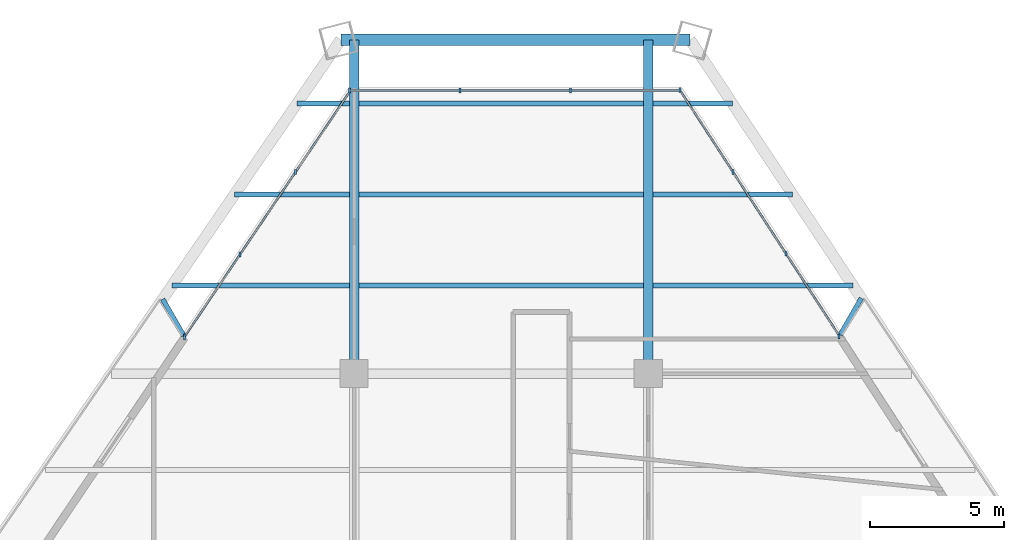
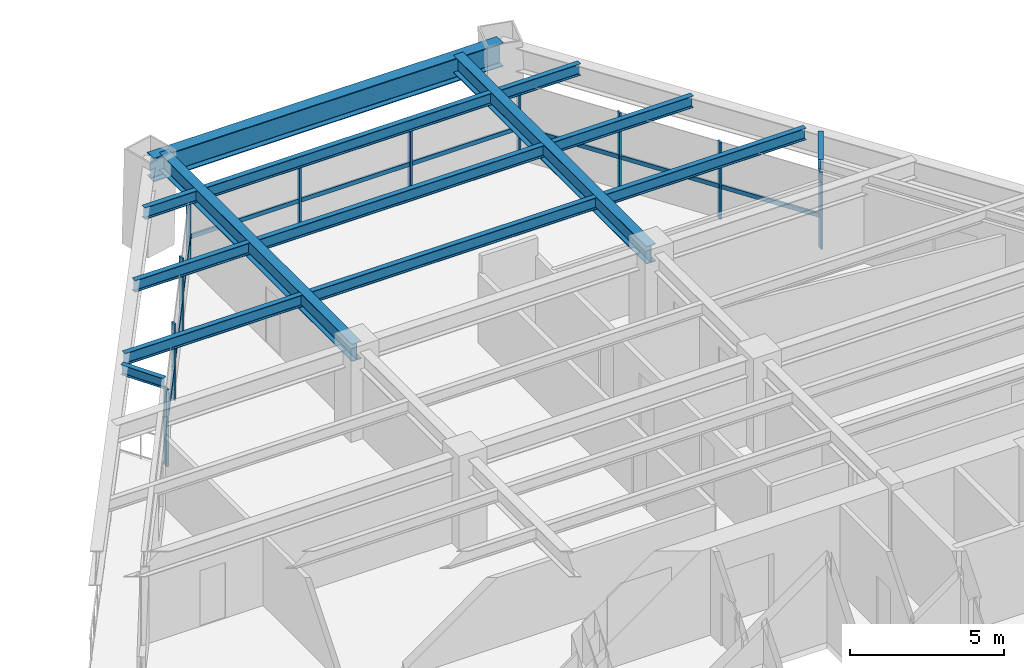
# One storey, part 8 of 14: 20 members, 14 beams, 3 elements without a shape of their own.
"""IFC4 building model written with IfcOpenShell, lengths in metres."""

import ifcopenshell
import ifcopenshell.guid

model = None  # the IFC model being written
_history = None  # IfcOwnerHistory: only IFC2X3 demands one
_inside = {}  # id of a spatial element -> (the spatial element, [elements in it])
_under = {}  # id of a project, library or spatial element -> (it, [spatial elements below it])
_declared = {}  # id of a project -> (the project, [libraries it declares])
_typed = {}  # id of a type object -> (the type object, [elements of that type])
_made_of = {}  # id of a material, layer set ... -> (it, [elements and type objects made of it])


def new_model(schema):
    """Start an empty IFC model of exactly this schema.

    Asked for "IFC4X3", IfcOpenShell would pick the latest addendum, in which some entities
    have other attributes; the version numbers below select the first issue.
    IFC2X3 requires an IfcOwnerHistory on every rooted entity: one is made here for all.
    """
    global model, _history
    if schema == "IFC4X3":
        model = ifcopenshell.file(schema_version=(4, 3, 0, 0))
    else:
        model = ifcopenshell.file(schema=schema)
    _inside.clear()
    _under.clear()
    _declared.clear()
    _typed.clear()
    _made_of.clear()
    _history = None
    if model.schema == "IFC2X3":
        org = make("IfcOrganization", Name="unknown")
        user = make(
            "IfcPersonAndOrganization",
            ThePerson=make("IfcPerson", FamilyName="unknown"),
            TheOrganization=org,
        )
        app = make(
            "IfcApplication",
            ApplicationDeveloper=org,
            Version="unknown",
            ApplicationFullName="unknown",
            ApplicationIdentifier="unknown",
        )
        _history = make(
            "IfcOwnerHistory",
            OwningUser=user,
            OwningApplication=app,
            ChangeAction="ADDED",
            CreationDate=0,
        )
    return model


def make(cls, **values):
    """One entity of the class cls with the attributes given. An attribute that is None is left unset."""
    return model.create_entity(
        cls, **{name: value for name, value in values.items() if value is not None}
    )


def rooted(cls, **values):
    """An entity with a GlobalId (a new one), such as an element, a storey or a relation."""
    return make(cls, GlobalId=ifcopenshell.guid.new(), OwnerHistory=_history, **values)


def si_unit(unit_type, name, prefix=None):
    """IfcSIUnit, for example si_unit("LENGTHUNIT", "METRE", prefix="MILLI")."""
    return make("IfcSIUnit", UnitType=unit_type, Prefix=prefix, Name=name)


def assignment(units):
    """IfcUnitAssignment: the units of a project."""
    return None if units is None else make("IfcUnitAssignment", Units=units)


def point(xyz):
    """IfcCartesianPoint."""
    return None if xyz is None else make("IfcCartesianPoint", Coordinates=xyz)


def direction(xyz):
    """IfcDirection."""
    return None if xyz is None else make("IfcDirection", DirectionRatios=xyz)


def frame(location, z_axis=None, x_axis=None):
    """IfcAxis2Placement3D, a coordinate frame: its origin and axes. An axis left out is left unset."""
    return make(
        "IfcAxis2Placement3D",
        Location=point(location),
        Axis=direction(z_axis),
        RefDirection=direction(x_axis),
    )


def frame_2d(location, x_axis=None):
    """IfcAxis2Placement2D, a coordinate frame in the plane: its origin and x axis."""
    return make(
        "IfcAxis2Placement2D", Location=point(location), RefDirection=direction(x_axis)
    )


def origin():
    """The frame at (0, 0, 0) with its axes left unset."""
    return frame((0.0, 0.0, 0.0))


def origin_2d():
    """The frame at (0, 0) in the plane with its x axis left unset."""
    return frame_2d((0.0, 0.0))


def place(relative_to, where):
    """IfcLocalPlacement: puts the frame where relative to a parent placement (None: the world)."""
    return make(
        "IfcLocalPlacement", PlacementRelTo=relative_to, RelativePlacement=where
    )


def context(
    kind, dimensions, precision=None, world=None, true_north=None, identifier=None
):
    """IfcGeometricRepresentationContext, for example the 3D "Model" context."""
    return make(
        "IfcGeometricRepresentationContext",
        ContextIdentifier=identifier,
        ContextType=kind,
        CoordinateSpaceDimension=dimensions,
        Precision=precision,
        WorldCoordinateSystem=world,
        TrueNorth=true_north,
    )


def subcontext(parent, identifier, kind, view, scale=None):
    """IfcGeometricRepresentationSubContext, for example "Body" below "Model"."""
    return make(
        "IfcGeometricRepresentationSubContext",
        ContextIdentifier=identifier,
        ContextType=kind,
        ParentContext=parent,
        TargetScale=scale,
        TargetView=view,
    )


def project(units=None, contexts=None):
    """IfcProject with its units and contexts."""
    return rooted(
        "IfcProject",
        Name="project",
        RepresentationContexts=contexts,
        UnitsInContext=assignment(units),
    )


def spatial(cls, under=None, at=None, **own):
    """A site, building, storey or space (cls), placed at a placement, below another one or the project."""
    s = rooted(cls, ObjectPlacement=at, **own)
    if under is not None:
        _under.setdefault(under.id(), (under, []))[1].append(s)
    return s


def profile(cls, at=None, kind="AREA", **sizes):
    """A parametric profile (cls). Its sizes go by their IFC names, for example OverallWidth=200.0."""
    return make(cls, ProfileType=kind, Position=at, **sizes)


def rectangle(**sizes):
    """IfcRectangleProfileDef."""
    return profile("IfcRectangleProfileDef", **sizes)


def i_section(**sizes):
    """IfcIShapeProfileDef."""
    return profile("IfcIShapeProfileDef", **sizes)


def extrude(swept, where, along, depth):
    """IfcExtrudedAreaSolid: the profile swept, set in the frame where, extruded along a direction by depth."""
    return make(
        "IfcExtrudedAreaSolid",
        SweptArea=swept,
        Position=where,
        ExtrudedDirection=direction(along),
        Depth=depth,
    )


def shape(context_of_items, identifier, shape_type, items):
    """IfcShapeRepresentation: the items that make up one representation, for example the "Body"."""
    return make(
        "IfcShapeRepresentation",
        ContextOfItems=context_of_items,
        RepresentationIdentifier=identifier,
        RepresentationType=shape_type,
        Items=items,
    )


def source(mapping_origin, context_of_items, identifier, shape_type, items):
    """IfcRepresentationMap: a shape defined once, which mapped items show again and again."""
    return make(
        "IfcRepresentationMap",
        MappingOrigin=mapping_origin,
        MappedRepresentation=shape(context_of_items, identifier, shape_type, items),
    )


def transform(
    local_origin,
    x_axis=None,
    y_axis=None,
    z_axis=None,
    scale=None,
    scale2=None,
    scale3=None,
    uniform=True,
):
    """IfcCartesianTransformationOperator3D, or its non-uniform kind. x_axis, y_axis, z_axis: its Axis1, 2, 3."""
    if uniform:
        return make(
            "IfcCartesianTransformationOperator3D",
            Axis1=direction(x_axis),
            Axis2=direction(y_axis),
            LocalOrigin=point(local_origin),
            Scale=scale,
            Axis3=direction(z_axis),
        )
    return make(
        "IfcCartesianTransformationOperator3DnonUniform",
        Axis1=direction(x_axis),
        Axis2=direction(y_axis),
        LocalOrigin=point(local_origin),
        Scale=scale,
        Axis3=direction(z_axis),
        Scale2=scale2,
        Scale3=scale3,
    )


def mapped(mapping_source, mapping_target):
    """IfcMappedItem: shows the shape of a source again, moved by a transform."""
    return make(
        "IfcMappedItem", MappingSource=mapping_source, MappingTarget=mapping_target
    )


def material(Name=None, Category=None):
    """IfcMaterial."""
    return make("IfcMaterial", Name=Name, Category=Category)


def material_profile(
    of_material, cross_section, Name=None, Category=None, Priority=None
):
    """IfcMaterialProfile: a cross section and its material."""
    return make(
        "IfcMaterialProfile",
        Name=Name,
        Material=of_material,
        Profile=cross_section,
        Priority=Priority,
        Category=Category,
    )


def profile_set(profiles, Name=None, composite=None):
    """IfcMaterialProfileSet."""
    return make(
        "IfcMaterialProfileSet",
        Name=Name,
        MaterialProfiles=profiles,
        CompositeProfile=composite,
    )


def made_of(thing, what):
    """Note that an element or type object is made of a material, layer set ...; save() writes the relation."""
    if what is not None:
        _made_of.setdefault(what.id(), (what, []))[1].append(thing)
    return thing


def type_object(cls, material=None, **own):
    """A type object (cls), such as IfcWallType, which elements share."""
    return made_of(rooted(cls, **own), material)


def type_shapes(of_type, sources):
    """Give a type object the sources (RepresentationMaps) that its elements show as mapped items."""
    of_type.RepresentationMaps = sources


def element(
    cls,
    number,
    at=None,
    inside=None,
    cuts=None,
    type_object=None,
    material=None,
    context=None,
    identifier="Body",
    shape_type=None,
    held_by="IfcProductDefinitionShape",
    body=None,
    shapes=None,
    **own,
):
    """One element of the class cls, such as IfcWall. Its Tag is "e" and its number.

    at: its placement. inside: the storey or other place that contains it. cuts: it is an
    opening in that element (IfcRelVoidsElement). A single representation is given by context,
    identifier, shape_type and body (its items); several are given by shapes. held_by: the class
    of the entity that holds the representations. save() writes the other relations.
    """
    e = rooted(cls, Tag="e%d" % number, ObjectPlacement=at, **own)
    if body is not None:
        shapes = [shape(context, identifier, shape_type, body)]
    if shapes is not None:
        e.Representation = make(held_by, Representations=shapes)
    if inside is not None:
        _inside.setdefault(inside.id(), (inside, []))[1].append(e)
    if cuts is not None:
        rooted(
            "IfcRelVoidsElement", RelatingBuildingElement=cuts, RelatedOpeningElement=e
        )
    if type_object is not None:
        _typed.setdefault(type_object.id(), (type_object, []))[1].append(e)
    return made_of(e, material)


def aggregate(whole, parts):
    """IfcRelAggregates: a whole, such as a stair, and the parts it consists of."""
    return rooted("IfcRelAggregates", RelatingObject=whole, RelatedObjects=parts)


def save(model, path):
    """Write the relations noted so far, then the file.

    IfcRelAggregates (storeys below a building ...), IfcRelContainedInSpatialStructure (elements
    in a storey), IfcRelDefinesByType, IfcRelAssociatesMaterial and IfcRelDeclares: one each for
    every whole, place, type object, material and project.
    """
    for whole, parts in _under.values():
        aggregate(whole, parts)
    for where, things in _inside.values():
        rooted(
            "IfcRelContainedInSpatialStructure",
            RelatedElements=things,
            RelatingStructure=where,
        )
    for kind, things in _typed.values():
        rooted("IfcRelDefinesByType", RelatedObjects=things, RelatingType=kind)
    for what, things in _made_of.values():
        rooted("IfcRelAssociatesMaterial", RelatedObjects=things, RelatingMaterial=what)
    for by, libraries in _declared.values():
        rooted("IfcRelDeclares", RelatingContext=by, RelatedDefinitions=libraries)
    model.write(path)


model = new_model("IFC4")

# Units and contexts
model_context = context("Model", 3, precision=1e-05, world=origin(), true_north=direction((0.0, 1.0)))
body_context = subcontext(model_context, "Body", "Model", "MODEL_VIEW")
ifc_project = project(units=[si_unit("LENGTHUNIT", "METRE"), si_unit("AREAUNIT", "SQUARE_METRE"), si_unit("VOLUMEUNIT", "CUBIC_METRE"), si_unit("PLANEANGLEUNIT", "RADIAN"), si_unit("MASSUNIT", "GRAM", prefix="KILO")], contexts=[model_context])

# Site, building, storey
site_placement = place(None, origin())
site = spatial("IfcSite", under=ifc_project, at=site_placement, CompositionType="ELEMENT")
building_placement = place(site_placement, origin())
building = spatial("IfcBuilding", under=site, at=building_placement, Name="Varnakhor Terracotta Tower", CompositionType="ELEMENT")
storey_placement = place(building_placement, frame((0.0, 0.0, 91.39990234375)))
storey = spatial("IfcBuildingStorey", under=building, at=storey_placement, Name="L22", CompositionType="ELEMENT", Elevation=91.39990234375)

# Beams
ifc_material_1 = material(Name="Steel S355", Category="steel")
ifc_material_profile_1 = material_profile(ifc_material_1, i_section(OverallWidth=0.19189453125, OverallDepth=0.462890625, WebThickness=0.010498046875, FlangeThickness=0.017578125, FilletRadius=0.01806640625, at=origin_2d()), Name="W18X60")
ifc_profile_set_1 = profile_set([ifc_material_profile_1], Name="Steel S355")
beam_type_1 = type_object("IfcBeamType", Name="JST-W18X60", PredefinedType="JOIST", material=ifc_profile_set_1)
shared_shape_1 = source(origin(), body_context, "Body", "SweptSolid", [
    extrude(i_section(OverallWidth=0.19189453125, OverallDepth=0.462890625, WebThickness=0.010498046875, FlangeThickness=0.017578125, FilletRadius=0.01806640625, at=origin_2d()), origin(), (0.0, 0.0, 1.0), 10.65283203125),
])
for number, where, z_axis, x_axis, name in (
    (1, (-5.326416015625, 34.800048828125, 3.218505859375), (1.0, 0.0, 0.0), (0.0, 1.0, 0.0), "L22 Composite Floor Joist 7-2"),
    (2, (-5.326416015625, 38.199951171875, 3.218505859375), (1.0, 0.0, 0.0), (0.0, 1.0, 0.0), "L22 Composite Floor Joist 8-2"),
    (3, (-5.326416015625, 41.60009765625, 3.218505859375), (1.0, 0.0, 0.0), (0.0, 1.0, 0.0), "L22 Composite Floor Joist 9-2"),
):
    element("IfcBeam", number, at=place(storey_placement, frame(where, z_axis=z_axis, x_axis=x_axis)), inside=storey, type_object=beam_type_1, Name=name, PredefinedType="JOIST", context=body_context, shape_type="MappedRepresentation", body=[
        mapped(shared_shape_1, transform((0.0, 0.0, 0.0), scale=1.0)),
    ])
ifc_material_profile_2 = material_profile(ifc_material_1, i_section(OverallWidth=0.41796875, OverallDepth=0.927001953125, WebThickness=0.01904296875, FlangeThickness=0.031982421875, FilletRadius=0.01806640625, at=origin_2d()), Name="W36X231")
ifc_profile_set_2 = profile_set([ifc_material_profile_2], Name="Steel S355")
beam_type_2 = type_object("IfcBeamType", Name="BM-W36X231", PredefinedType="BEAM", material=ifc_profile_set_2)
shared_shape_2 = source(origin(), body_context, "Body", "SweptSolid", [
    extrude(i_section(OverallWidth=0.41796875, OverallDepth=0.927001953125, WebThickness=0.01904296875, FlangeThickness=0.031982421875, FilletRadius=0.01806640625, at=origin_2d()), origin(), (0.0, 0.0, 1.0), 13.066162109375),
])
beam_1_placement = place(storey_placement, frame((7.065673828125, 43.987060546875, 2.986572265625), z_axis=(-1.0, 0.0, 0.0), x_axis=(0.0, -1.0, 0.0)))
element("IfcBeam", 4, at=beam_1_placement, inside=storey, type_object=beam_type_2, Name="L22 Perimeter Spandrel 5", PredefinedType="BEAM", context=body_context, shape_type="MappedRepresentation", body=[
    mapped(shared_shape_2, transform((0.0, 0.0, 0.0), scale=1.0)),
])
ifc_material_profile_3 = material_profile(ifc_material_1, i_section(OverallWidth=0.35498046875, OverallDepth=0.695068359375, WebThickness=0.014892578125, FlangeThickness=0.02490234375, FilletRadius=0.01806640625, at=origin_2d()), Name="W27X146")
ifc_profile_set_3 = profile_set([ifc_material_profile_3], Name="Steel S355")
beam_type_3 = type_object("IfcBeamType", Name="BM-W27X146", PredefinedType="BEAM", material=ifc_profile_set_3)
shared_shape_3 = source(origin(), body_context, "Body", "SweptSolid", [
    extrude(i_section(OverallWidth=0.35498046875, OverallDepth=0.695068359375, WebThickness=0.014892578125, FlangeThickness=0.02490234375, FilletRadius=0.01806640625, at=origin_2d()), origin(), (0.0, 0.0, 1.0), 12.487060546875),
])
for number, where, z_axis, x_axis, name in (
    (5, (-5.5, 31.5, 3.1025390625), (0.0, 1.0, 0.0), (-1.0, 0.0, 0.0), "L22 Primary Girder NS3-W"),
    (6, (5.5, 31.5, 3.1025390625), (0.0, 1.0, 0.0), (-1.0, 0.0, 0.0), "L22 Primary Girder NS3-E"),
):
    element("IfcBeam", number, at=place(storey_placement, frame(where, z_axis=z_axis, x_axis=x_axis)), inside=storey, type_object=beam_type_3, Name=name, PredefinedType="BEAM", context=body_context, shape_type="MappedRepresentation", body=[
        mapped(shared_shape_3, transform((0.0, 0.0, 0.0), scale=1.0)),
    ])
shared_shape_4 = source(origin(), body_context, "Body", "SweptSolid", [
    extrude(i_section(OverallWidth=0.19189453125, OverallDepth=0.462890625, WebThickness=0.010498046875, FlangeThickness=0.017578125, FilletRadius=0.01806640625, at=origin_2d()), origin(), (0.0, 0.0, 1.0), 6.634521484375),
])
beam_2_placement = place(storey_placement, frame((-12.30810546875, 34.800048828125, 3.218505859375), z_axis=(1.0, 0.0, 0.0), x_axis=(0.0, 1.0, 0.0)))
element("IfcBeam", 7, at=beam_2_placement, inside=storey, type_object=beam_type_1, Name="L22 Composite Floor Joist 7-1", PredefinedType="JOIST", context=body_context, shape_type="MappedRepresentation", body=[
    mapped(shared_shape_4, transform((0.0, 0.0, 0.0), scale=1.0)),
])
shared_shape_5 = source(origin(), body_context, "Body", "SweptSolid", [
    extrude(i_section(OverallWidth=0.19189453125, OverallDepth=0.462890625, WebThickness=0.010498046875, FlangeThickness=0.017578125, FilletRadius=0.01806640625, at=origin_2d()), origin(), (0.0, 0.0, 1.0), 7.47705078125),
])
beam_3_placement = place(storey_placement, frame((5.673583984375, 34.800048828125, 3.218505859375), z_axis=(1.0, 0.0, 0.0), x_axis=(0.0, 1.0, 0.0)))
element("IfcBeam", 8, at=beam_3_placement, inside=storey, type_object=beam_type_1, Name="L22 Composite Floor Joist 7-3", PredefinedType="JOIST", context=body_context, shape_type="MappedRepresentation", body=[
    mapped(shared_shape_5, transform((0.0, 0.0, 0.0), scale=1.0)),
])
shared_shape_6 = source(origin(), body_context, "Body", "SweptSolid", [
    extrude(i_section(OverallWidth=0.19189453125, OverallDepth=0.462890625, WebThickness=0.010498046875, FlangeThickness=0.017578125, FilletRadius=0.01806640625, at=origin_2d()), origin(), (0.0, 0.0, 1.0), 4.300048828125),
])
beam_4_placement = place(storey_placement, frame((-9.9736328125, 38.199951171875, 3.218505859375), z_axis=(1.0, 0.0, 0.0), x_axis=(0.0, 1.0, 0.0)))
element("IfcBeam", 9, at=beam_4_placement, inside=storey, type_object=beam_type_1, Name="L22 Composite Floor Joist 8-1", PredefinedType="JOIST", context=body_context, shape_type="MappedRepresentation", body=[
    mapped(shared_shape_6, transform((0.0, 0.0, 0.0), scale=1.0)),
])
shared_shape_7 = source(origin(), body_context, "Body", "SweptSolid", [
    extrude(i_section(OverallWidth=0.19189453125, OverallDepth=0.462890625, WebThickness=0.010498046875, FlangeThickness=0.017578125, FilletRadius=0.01806640625, at=origin_2d()), origin(), (0.0, 0.0, 1.0), 5.22509765625),
])
beam_5_placement = place(storey_placement, frame((5.673583984375, 38.199951171875, 3.218505859375), z_axis=(1.0, 0.0, 0.0), x_axis=(0.0, 1.0, 0.0)))
element("IfcBeam", 10, at=beam_5_placement, inside=storey, type_object=beam_type_1, Name="L22 Composite Floor Joist 8-3", PredefinedType="JOIST", context=body_context, shape_type="MappedRepresentation", body=[
    mapped(shared_shape_7, transform((0.0, 0.0, 0.0), scale=1.0)),
])
shared_shape_8 = source(origin(), body_context, "Body", "SweptSolid", [
    extrude(i_section(OverallWidth=0.19189453125, OverallDepth=0.462890625, WebThickness=0.010498046875, FlangeThickness=0.017578125, FilletRadius=0.01806640625, at=origin_2d()), origin(), (0.0, 0.0, 1.0), 1.9658203125),
])
beam_6_placement = place(storey_placement, frame((-7.639404296875, 41.60009765625, 3.218505859375), z_axis=(1.0, 0.0, 0.0), x_axis=(0.0, 1.0, 0.0)))
element("IfcBeam", 11, at=beam_6_placement, inside=storey, type_object=beam_type_1, Name="L22 Composite Floor Joist 9-1", PredefinedType="JOIST", context=body_context, shape_type="MappedRepresentation", body=[
    mapped(shared_shape_8, transform((0.0, 0.0, 0.0), scale=1.0)),
])
shared_shape_9 = source(origin(), body_context, "Body", "SweptSolid", [
    extrude(i_section(OverallWidth=0.19189453125, OverallDepth=0.462890625, WebThickness=0.010498046875, FlangeThickness=0.017578125, FilletRadius=0.01806640625, at=origin_2d()), origin(), (0.0, 0.0, 1.0), 2.97314453125),
])
beam_7_placement = place(storey_placement, frame((5.673583984375, 41.60009765625, 3.218505859375), z_axis=(1.0, 0.0, 0.0), x_axis=(0.0, 1.0, 0.0)))
element("IfcBeam", 12, at=beam_7_placement, inside=storey, type_object=beam_type_1, Name="L22 Composite Floor Joist 9-3", PredefinedType="JOIST", context=body_context, shape_type="MappedRepresentation", body=[
    mapped(shared_shape_9, transform((0.0, 0.0, 0.0), scale=1.0)),
])

# Curtain wall, members
ifc_material_2 = material(Name="Anodised Aluminium Curtain Wall System", Category="aluminium")
curtain_wall_type = type_object("IfcCurtainWallType", Name="CW-SYS-LOW-OFFICE", PredefinedType="NOTDEFINED", material=ifc_material_2)
curtain_wall_1_placement = place(storey_placement, origin())
curtain_wall_1 = element("IfcCurtainWall", 13, at=curtain_wall_1_placement, inside=storey, type_object=curtain_wall_type, Name="L22 W Facet Curtain Wall 2", PredefinedType="NOTDEFINED")
ifc_material_3 = material(Name="Anodised Aluminium 6063-T6", Category="aluminium")
ifc_material_profile_4 = material_profile(ifc_material_3, rectangle(XDim=0.074951171875, YDim=0.18505859375, at=origin_2d()), Name="ALU MULLION 75x185")
ifc_profile_set_4 = profile_set([ifc_material_profile_4], Name="Anodised Aluminium 6063-T6")
member_type_1 = type_object("IfcMemberType", Name="CWM-02", PredefinedType="MULLION", material=ifc_profile_set_4)
shared_shape_10 = source(origin(), body_context, "Body", "SweptSolid", [
    extrude(rectangle(XDim=0.074951171875, YDim=0.18505859375, at=origin_2d()), origin(), (0.0, 0.0, 1.0), 3.030029296875),
])
type_shapes(member_type_1, [shared_shape_10])
member_1_placement = place(storey_placement, frame((-11.8369140625, 32.88671875, 0.0), z_axis=(0.0, 0.0, 1.0), x_axis=(1.0, 0.0, 0.0)))
member_1 = element("IfcMember", 14, at=member_1_placement, type_object=member_type_1, Name="L22 W Facet Curtain Wall 2 Mullion 1", PredefinedType="MULLION", context=body_context, shape_type="MappedRepresentation", body=[
    mapped(shared_shape_10, transform((0.0, 0.0, 0.0), scale=1.0)),
])
member_2_placement = place(storey_placement, frame((-9.765625, 35.961181640625, 0.0), z_axis=(0.0, 0.0, 1.0), x_axis=(1.0, 0.0, 0.0)))
member_2 = element("IfcMember", 15, at=member_2_placement, type_object=member_type_1, Name="L22 W Facet Curtain Wall 2 Mullion 2", PredefinedType="MULLION", context=body_context, shape_type="MappedRepresentation", body=[
    mapped(shared_shape_10, transform((0.0, 0.0, 0.0), scale=1.0)),
])
member_3_placement = place(storey_placement, frame((-7.694580078125, 39.03564453125, 0.0), z_axis=(0.0, 0.0, 1.0), x_axis=(1.0, 0.0, 0.0)))
member_3 = element("IfcMember", 16, at=member_3_placement, type_object=member_type_1, Name="L22 W Facet Curtain Wall 2 Mullion 3", PredefinedType="MULLION", context=body_context, shape_type="MappedRepresentation", body=[
    mapped(shared_shape_10, transform((0.0, 0.0, 0.0), scale=1.0)),
])
member_4_placement = place(storey_placement, frame((-11.837158203125, 32.8505859375, 0.0), z_axis=(0.0, 0.0, 1.0), x_axis=(1.0, 0.0, 0.0)))
member_4 = element("IfcMember", 17, at=member_4_placement, type_object=member_type_1, Name="L22 W Loggia Jamb Closure Mullion 2", PredefinedType="MULLION", context=body_context, shape_type="MappedRepresentation", body=[
    mapped(shared_shape_10, transform((0.0, 0.0, 0.0), scale=1.0)),
])

curtain_wall_2_placement = place(storey_placement, origin())
curtain_wall_2 = element("IfcCurtainWall", 18, at=curtain_wall_2_placement, inside=storey, type_object=curtain_wall_type, Name="L22 Facet Curtain Wall 2", PredefinedType="NOTDEFINED")
member_5_placement = place(storey_placement, frame((-5.676025390625, 42.08203125, 0.0), z_axis=(0.0, 0.0, 1.0), x_axis=(1.0, 0.0, 0.0)))
member_5 = element("IfcMember", 19, at=member_5_placement, type_object=member_type_1, Name="L22 Facet Curtain Wall 2 Mullion 1", PredefinedType="MULLION", context=body_context, shape_type="MappedRepresentation", body=[
    mapped(shared_shape_10, transform((0.0, 0.0, 0.0), scale=1.0)),
])
member_6_placement = place(storey_placement, frame((-1.53955078125, 42.08203125, 0.0), z_axis=(0.0, 0.0, 1.0), x_axis=(1.0, 0.0, 0.0)))
member_6 = element("IfcMember", 20, at=member_6_placement, type_object=member_type_1, Name="L22 Facet Curtain Wall 2 Mullion 2", PredefinedType="MULLION", context=body_context, shape_type="MappedRepresentation", body=[
    mapped(shared_shape_10, transform((0.0, 0.0, 0.0), scale=1.0)),
])
member_7_placement = place(storey_placement, frame((2.5966796875, 42.08203125, 0.0), z_axis=(0.0, 0.0, 1.0), x_axis=(1.0, 0.0, 0.0)))
member_7 = element("IfcMember", 21, at=member_7_placement, type_object=member_type_1, Name="L22 Facet Curtain Wall 2 Mullion 3", PredefinedType="MULLION", context=body_context, shape_type="MappedRepresentation", body=[
    mapped(shared_shape_10, transform((0.0, 0.0, 0.0), scale=1.0)),
])

curtain_wall_3_placement = place(storey_placement, origin())
curtain_wall_3 = element("IfcCurtainWall", 22, at=curtain_wall_3_placement, inside=storey, type_object=curtain_wall_type, Name="L22 E Facet Curtain Wall 1", PredefinedType="NOTDEFINED")
member_8_placement = place(storey_placement, frame((6.6787109375, 42.111572265625, 0.0), z_axis=(0.0, 0.0, 1.0), x_axis=(1.0, 0.0, 0.0)))
member_8 = element("IfcMember", 23, at=member_8_placement, type_object=member_type_1, Name="L22 E Facet Curtain Wall 1 Mullion 1", PredefinedType="MULLION", context=body_context, shape_type="MappedRepresentation", body=[
    mapped(shared_shape_10, transform((0.0, 0.0, 0.0), scale=1.0)),
])
member_9_placement = place(storey_placement, frame((8.666015625, 39.0478515625, 0.0), z_axis=(0.0, 0.0, 1.0), x_axis=(1.0, 0.0, 0.0)))
member_9 = element("IfcMember", 24, at=member_9_placement, type_object=member_type_1, Name="L22 E Facet Curtain Wall 1 Mullion 2", PredefinedType="MULLION", context=body_context, shape_type="MappedRepresentation", body=[
    mapped(shared_shape_10, transform((0.0, 0.0, 0.0), scale=1.0)),
])
member_10_placement = place(storey_placement, frame((10.6533203125, 35.984130859375, 0.0), z_axis=(0.0, 0.0, 1.0), x_axis=(1.0, 0.0, 0.0)))
member_10 = element("IfcMember", 25, at=member_10_placement, type_object=member_type_1, Name="L22 E Facet Curtain Wall 1 Mullion 3", PredefinedType="MULLION", context=body_context, shape_type="MappedRepresentation", body=[
    mapped(shared_shape_10, transform((0.0, 0.0, 0.0), scale=1.0)),
])
member_11_placement = place(storey_placement, frame((12.64013671875, 32.884521484375, 0.0), z_axis=(0.0, 0.0, 1.0), x_axis=(1.0, 0.0, 0.0)))
member_11 = element("IfcMember", 26, at=member_11_placement, type_object=member_type_1, Name="L22 E Loggia Jamb Closure Mullion 1", PredefinedType="MULLION", context=body_context, shape_type="MappedRepresentation", body=[
    mapped(shared_shape_10, transform((0.0, 0.0, 0.0), scale=1.0)),
])

# Member
ifc_material_profile_5 = material_profile(ifc_material_3, rectangle(XDim=0.074951171875, YDim=0.1650390625, at=origin_2d()), Name="ALU TRANSOM 75x165")
ifc_profile_set_5 = profile_set([ifc_material_profile_5], Name="Anodised Aluminium 6063-T6")
member_type_2 = type_object("IfcMemberType", Name="CWT-02", PredefinedType="USERDEFINED", material=ifc_profile_set_5)
shared_shape_11 = source(origin(), body_context, "Body", "SweptSolid", [
    extrude(rectangle(XDim=0.074951171875, YDim=0.1650390625, at=origin_2d()), origin(), (0.0, 0.0, 1.0), 3.70703125),
])
member_12_placement = place(storey_placement, frame((-11.8369140625, 32.88671875, 1.272705078125), z_axis=(0.558736295373, 0.829345375723, 0.0), x_axis=(-0.829345375723, 0.558736295373, 0.0)))
member_12 = element("IfcMember", 27, at=member_12_placement, type_object=member_type_2, Name="L22 W Facet Curtain Wall 2 Transom 1", ObjectType="TRANSOM", PredefinedType="USERDEFINED", context=body_context, shape_type="MappedRepresentation", body=[
    mapped(shared_shape_11, transform((0.0, 0.0, 0.0), scale=1.0)),
])

member_13_placement = place(storey_placement, frame((-9.765625, 35.961181640625, 1.272705078125), z_axis=(0.558690995076, 0.829375893079, 0.0), x_axis=(-0.829375893079, 0.558690995076, 0.0)))
member_13 = element("IfcMember", 28, at=member_13_placement, type_object=member_type_2, Name="L22 W Facet Curtain Wall 2 Transom 2", ObjectType="TRANSOM", PredefinedType="USERDEFINED", context=body_context, shape_type="MappedRepresentation", body=[
    mapped(shared_shape_11, transform((0.0, 0.0, 0.0), scale=1.0)),
])

member_14_placement = place(storey_placement, frame((-7.694580078125, 39.03564453125, 1.272705078125), z_axis=(0.558736295373, 0.829345375723, 0.0), x_axis=(-0.829345375723, 0.558736295373, 0.0)))
member_14 = element("IfcMember", 29, at=member_14_placement, type_object=member_type_2, Name="L22 W Facet Curtain Wall 2 Transom 3", ObjectType="TRANSOM", PredefinedType="USERDEFINED", context=body_context, shape_type="MappedRepresentation", body=[
    mapped(shared_shape_11, transform((0.0, 0.0, 0.0), scale=1.0)),
])

aggregate(curtain_wall_1, [member_1, member_12, member_2, member_13, member_3, member_14, member_4])

shared_shape_12 = source(origin(), body_context, "Body", "SweptSolid", [
    extrude(rectangle(XDim=0.074951171875, YDim=0.1650390625, at=origin_2d()), origin(), (0.0, 0.0, 1.0), 4.136474609375),
])
member_15_placement = place(storey_placement, frame((-5.676025390625, 42.08203125, 1.272705078125), z_axis=(1.0, 0.0, 0.0), x_axis=(0.0, 1.0, 0.0)))
member_15 = element("IfcMember", 30, at=member_15_placement, type_object=member_type_2, Name="L22 Facet Curtain Wall 2 Transom 1", ObjectType="TRANSOM", PredefinedType="USERDEFINED", context=body_context, shape_type="MappedRepresentation", body=[
    mapped(shared_shape_12, transform((0.0, 0.0, 0.0), scale=1.0)),
])

member_16_placement = place(storey_placement, frame((2.5966796875, 42.08203125, 1.272705078125), z_axis=(1.0, 0.0, 0.0), x_axis=(0.0, 1.0, 0.0)))
member_16 = element("IfcMember", 31, at=member_16_placement, type_object=member_type_2, Name="L22 Facet Curtain Wall 2 Transom 3", ObjectType="TRANSOM", PredefinedType="USERDEFINED", context=body_context, shape_type="MappedRepresentation", body=[
    mapped(shared_shape_12, transform((0.0, 0.0, 0.0), scale=1.0)),
])

shared_shape_13 = source(origin(), body_context, "Body", "SweptSolid", [
    extrude(rectangle(XDim=0.074951171875, YDim=0.1650390625, at=origin_2d()), origin(), (0.0, 0.0, 1.0), 4.13623046875),
])
member_17_placement = place(storey_placement, frame((-1.53955078125, 42.08203125, 1.272705078125), z_axis=(1.0, 0.0, 0.0), x_axis=(0.0, 1.0, 0.0)))
member_17 = element("IfcMember", 32, at=member_17_placement, type_object=member_type_2, Name="L22 Facet Curtain Wall 2 Transom 2", ObjectType="TRANSOM", PredefinedType="USERDEFINED", context=body_context, shape_type="MappedRepresentation", body=[
    mapped(shared_shape_13, transform((0.0, 0.0, 0.0), scale=1.0)),
])

aggregate(curtain_wall_2, [member_5, member_15, member_6, member_17, member_7, member_16])

shared_shape_14 = source(origin(), body_context, "Body", "SweptSolid", [
    extrude(rectangle(XDim=0.074951171875, YDim=0.1650390625, at=origin_2d()), origin(), (0.0, 0.0, 1.0), 3.65185546875),
])
member_18_placement = place(storey_placement, frame((6.6787109375, 42.111572265625, 1.272705078125), z_axis=(0.544196192223, -0.838957987249, 0.0), x_axis=(0.838957987249, 0.544196192223, 0.0)))
member_18 = element("IfcMember", 33, at=member_18_placement, type_object=member_type_2, Name="L22 E Facet Curtain Wall 1 Transom 1", ObjectType="TRANSOM", PredefinedType="USERDEFINED", context=body_context, shape_type="MappedRepresentation", body=[
    mapped(shared_shape_14, transform((0.0, 0.0, 0.0), scale=1.0)),
])

member_19_placement = place(storey_placement, frame((8.666015625, 39.0478515625, 1.272705078125), z_axis=(0.544196192223, -0.838957987249, 0.0), x_axis=(0.838957987249, 0.544196192223, 0.0)))
member_19 = element("IfcMember", 34, at=member_19_placement, type_object=member_type_2, Name="L22 E Facet Curtain Wall 1 Transom 2", ObjectType="TRANSOM", PredefinedType="USERDEFINED", context=body_context, shape_type="MappedRepresentation", body=[
    mapped(shared_shape_14, transform((0.0, 0.0, 0.0), scale=1.0)),
])

shared_shape_15 = source(origin(), body_context, "Body", "SweptSolid", [
    extrude(rectangle(XDim=0.074951171875, YDim=0.1650390625, at=origin_2d()), origin(), (0.0, 0.0, 1.0), 3.651611328125),
])
member_20_placement = place(storey_placement, frame((10.6533203125, 35.984130859375, 1.272705078125), z_axis=(0.544149134033, -0.838988510011, 0.0), x_axis=(0.838988510011, 0.544149134033, 0.0)))
member_20 = element("IfcMember", 35, at=member_20_placement, type_object=member_type_2, Name="L22 E Facet Curtain Wall 1 Transom 3", ObjectType="TRANSOM", PredefinedType="USERDEFINED", context=body_context, shape_type="MappedRepresentation", body=[
    mapped(shared_shape_15, transform((0.0, 0.0, 0.0), scale=1.0)),
])

aggregate(curtain_wall_3, [member_8, member_18, member_9, member_19, member_10, member_20, member_11])

# Beams
ifc_material_profile_6 = material_profile(ifc_material_1, i_section(OverallWidth=0.179931640625, OverallDepth=0.39990234375, WebThickness=0.008544921875, FlangeThickness=0.013427734375, FilletRadius=0.01806640625, at=origin_2d()), Name="IPE400")
ifc_profile_set_6 = profile_set([ifc_material_profile_6], Name="Steel S355")
beam_type_4 = type_object("IfcBeamType", Name="JST-IPE400", PredefinedType="JOIST", material=ifc_profile_set_6)
shared_shape_16 = source(origin(), body_context, "Body", "SweptSolid", [
    extrude(i_section(OverallWidth=0.179931640625, OverallDepth=0.39990234375, WebThickness=0.008544921875, FlangeThickness=0.013427734375, FilletRadius=0.01806640625, at=origin_2d()), origin(), (0.0, 0.0, 1.0), 1.587158203125),
])
beam_8_placement = place(storey_placement, frame((12.67529296875, 32.9453125, 3.25), z_axis=(0.499944387978, 0.86605750902, 0.0), x_axis=(-0.86605750902, 0.499944387978, 0.0)))
element("IfcBeam", 36, at=beam_8_placement, inside=storey, type_object=beam_type_4, Name="L23 E Loggia Tie Beam 1", PredefinedType="JOIST", context=body_context, shape_type="MappedRepresentation", body=[
    mapped(shared_shape_16, transform((0.0, 0.0, 0.0), scale=1.0)),
])
shared_shape_17 = source(origin(), body_context, "Body", "SweptSolid", [
    extrude(i_section(OverallWidth=0.179931640625, OverallDepth=0.39990234375, WebThickness=0.008544921875, FlangeThickness=0.013427734375, FilletRadius=0.01806640625, at=origin_2d()), origin(), (0.0, 0.0, 1.0), 1.586669921875),
])
beam_9_placement = place(storey_placement, frame((-11.86669921875, 32.91162109375, 3.25), z_axis=(-0.500969553639, 0.865464907623, 0.0), x_axis=(-0.865464907623, -0.500969553639, 0.0)))
element("IfcBeam", 37, at=beam_9_placement, inside=storey, type_object=beam_type_4, Name="L23 W Loggia Tie Beam 2", PredefinedType="JOIST", context=body_context, shape_type="MappedRepresentation", body=[
    mapped(shared_shape_17, transform((0.0, 0.0, 0.0), scale=1.0)),
])

save(model, "model.ifc")
